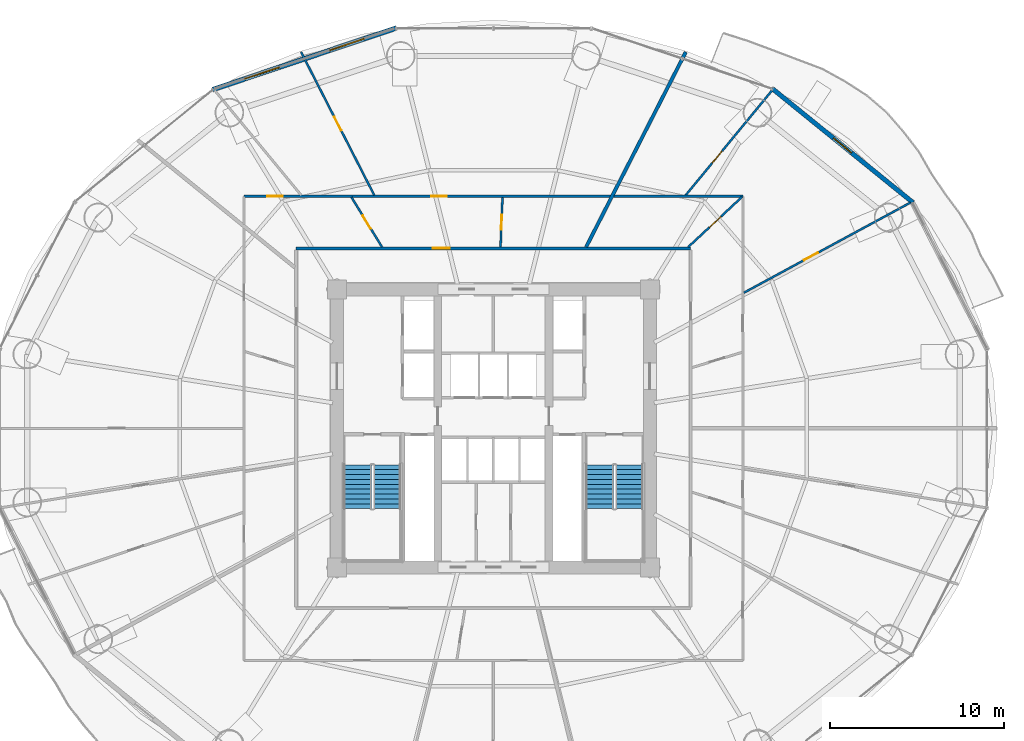
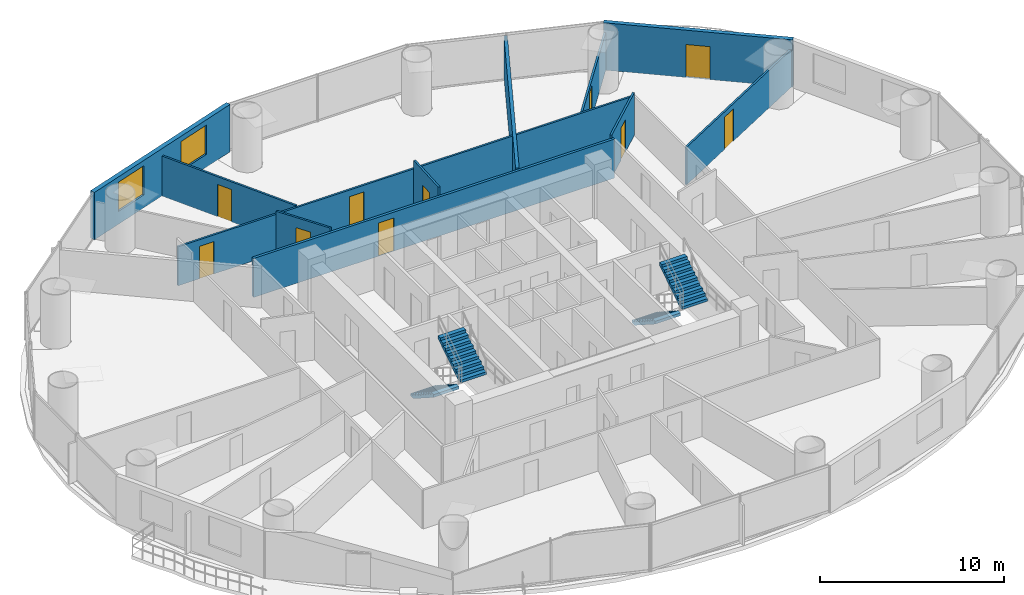
# One storey, part 25 of 29: 12 walls, 10 doors, 4 stair flights, 2 windows, 12 openings, 2 elements without a shape of their own.
"""IFC4 building model written with IfcOpenShell, lengths in metres."""

from ifc_helpers import new_model, si_unit, direction, frame, frame_2d, origin, place, context, subcontext, project, spatial, polyline, rectangle, outline, extrude, source, transform, mapped, material, layer, layer_set, type_object, element, fill, aggregate, save


model = new_model("IFC4")

# Units and contexts
model_context = context("Model", 3, precision=1e-05, world=origin(), true_north=direction((-0.2419218956, 0.970295726276)))
body_context = subcontext(model_context, "Body", "Model", "MODEL_VIEW")
ifc_project = project(units=[si_unit("LENGTHUNIT", "METRE"), si_unit("AREAUNIT", "SQUARE_METRE"), si_unit("VOLUMEUNIT", "CUBIC_METRE"), si_unit("PLANEANGLEUNIT", "RADIAN"), si_unit("MASSUNIT", "GRAM", prefix="KILO")], contexts=[model_context])

# Site, building, storey
site_placement = place(None, origin())
site = spatial("IfcSite", under=ifc_project, at=site_placement, CompositionType="ELEMENT")
building_placement = place(site_placement, origin())
building = spatial("IfcBuilding", under=site, at=building_placement, Name="Cobrevalo Terracotta Tower", CompositionType="ELEMENT")
storey_placement = place(building_placement, frame((0.0, 0.0, 70.800048828125)))
storey = spatial("IfcBuildingStorey", under=building, at=storey_placement, Name="L18", CompositionType="ELEMENT", Elevation=70.800048828125)

# Wall, opening, door
ifc_material_1 = material(Name="Gypsum board on steel stud", Category="steel")
ifc_layer_1 = layer(ifc_material_1, 0.159912109375)
ifc_layer_set_1 = layer_set([ifc_layer_1], Name="Gypsum board on steel stud")
wall_type_1 = type_object("IfcWallType", Name="Fire-rated corridor acoustic partition wall 160 mm", PredefinedType="PARTITIONING", material=ifc_layer_set_1)
wall_1_placement = place(storey_placement, frame((26.64501953125, 37.155029296875, 0.0), z_axis=(0.0, 0.0, 1.0), x_axis=(1.0, 0.0, 0.0)))
wall_1 = element("IfcWall", 1, at=wall_1_placement, inside=storey, type_object=wall_type_1, Name="L18 interior partition IW-L18-COR-N", PredefinedType="PARTITIONING", context=body_context, shape_type="SweptSolid", body=[
    extrude(rectangle(XDim=22.7099609375, YDim=0.159912109375, at=frame_2d((11.35498046875, 0.0))), origin(), (0.0, 0.0, 1.0), 2.595947265625),
])
opening_1_placement = place(wall_1_placement, frame((7.859375, 0.0, 0.0)))
opening_1 = element("IfcOpeningElement", 2, at=opening_1_placement, cuts=wall_1, Name="Opening ID-05", PredefinedType="OPENING", context=body_context, shape_type="SweptSolid", body=[
    extrude(rectangle(XDim=0.97998046875, YDim=2.199951171875, at=frame_2d((0.489990234375, 1.10009765625))), frame((0.0, 0.08984375, 0.0), z_axis=(0.0, -1.0, 0.0), x_axis=(1.0, 0.0, 0.0)), (0.0, 0.0, 1.0), 0.179931640625),
])
ifc_material_2 = material(Name="Solid hardwood timber", Category="wood")
door_type_1 = type_object("IfcDoorType", Name="Residence entrance fire-rated acoustic timber door 980x2200 EI 60", OperationType="NOTDEFINED", PredefinedType="DOOR", material=ifc_material_2)
shared_shape_1 = source(origin(), body_context, "Body", "SweptSolid", [
    extrude(rectangle(XDim=0.97998046875, YDim=2.199951171875, at=frame_2d((0.489990234375, 1.10009765625))), frame((0.0, 0.02490234375, 0.0), z_axis=(0.0, -1.0, 0.0), x_axis=(1.0, 0.0, 0.0)), (0.0, 0.0, 1.0), 0.050048828125),
])
door_1_placement = place(opening_1_placement, origin())
door_1 = element("IfcDoor", 3, at=door_1_placement, inside=storey, type_object=door_type_1, Name="Flat L18B fire-rated apartment entrance door", OperationType="SINGLE_SWING_LEFT", OverallHeight=2.199951171875, OverallWidth=0.97998046875, PredefinedType="DOOR", context=body_context, shape_type="MappedRepresentation", body=[
    mapped(shared_shape_1, transform((0.0, 0.0, 0.0), scale=1.0)),
])
fill(opening_1, door_1)

# Wall
ifc_material_3 = material(Name="Autoclaved aerated concrete block", Category="concrete")
ifc_layer_2 = layer(ifc_material_3, 0.199951171875)
ifc_layer_set_2 = layer_set([ifc_layer_2], Name="Autoclaved aerated concrete block")
wall_type_2 = type_object("IfcWallType", Name="Fire-rated stair, shaft & demising masonry wall 200 mm", PredefinedType="PARTITIONING", material=ifc_layer_set_2)
wall_2_placement = place(storey_placement, frame((43.334716796875, 37.23681640625, 0.0), z_axis=(0.0, 0.0, 1.0), x_axis=(0.455148959499, 0.890415310216, 0.0)))
element("IfcWall", 4, at=wall_2_placement, inside=storey, type_object=wall_type_2, Name="L18 interior partition IW-L18-DEM-2", PredefinedType="PARTITIONING", context=body_context, shape_type="SweptSolid", body=[
    extrude(rectangle(XDim=12.598388671875, YDim=0.199951171875, at=frame_2d((6.29931640625, 0.0))), origin(), (0.0, 0.0, 1.0), 2.666015625),
])

# Wall, openings, windows
ifc_layer_3 = layer(ifc_material_3, 0.280029296875)
ifc_layer_set_3 = layer_set([ifc_layer_3], Name="Autoclaved aerated concrete block")
wall_type_3 = type_object("IfcWallType", Name="Insulated tower spandrel & pier wall 280 mm with terracotta rainscreen", PredefinedType="SOLIDWALL", material=ifc_layer_set_3)
wall_3_placement = place(storey_placement, frame((32.424072265625, 49.844482421875, 0.0), z_axis=(0.0, 0.0, 1.0), x_axis=(-0.948041258496, -0.318147406385, 0.0)))
wall_3 = element("IfcWall", 5, at=wall_3_placement, inside=storey, type_object=wall_type_3, Name="L18 terracotta rainscreen pier wall S05", PredefinedType="SOLIDWALL", context=body_context, shape_type="SweptSolid", body=[
    extrude(rectangle(XDim=11.17529296875, YDim=0.280029296875, at=frame_2d((5.587646484375, 0.0))), origin(), (0.0, 0.0, 1.0), 3.14990234375),
])
opening_2_placement = place(wall_3_placement, frame((1.96728515625, 0.0, 0.85009765625)))
opening_2 = element("IfcOpeningElement", 6, at=opening_2_placement, cuts=wall_3, Name="Opening WN-10", PredefinedType="OPENING", context=body_context, shape_type="SweptSolid", body=[
    extrude(rectangle(XDim=2.10009765625, YDim=1.949951171875, at=frame_2d((1.050048828125, 0.97509765625))), frame((0.0, 0.14990234375, 0.0), z_axis=(0.0, -1.0, 0.0), x_axis=(1.0, 0.0, 0.0)), (0.0, 0.0, 1.0), 0.300048828125),
])
opening_3_placement = place(wall_3_placement, frame((7.108154296875, 0.0, 0.85009765625)))
opening_3 = element("IfcOpeningElement", 7, at=opening_3_placement, cuts=wall_3, Name="Opening WN-10", PredefinedType="OPENING", context=body_context, shape_type="SweptSolid", body=[
    extrude(rectangle(XDim=2.10009765625, YDim=1.949951171875, at=frame_2d((1.050048828125, 0.97509765625))), frame((0.0, 0.14990234375, 0.0), z_axis=(0.0, -1.0, 0.0), x_axis=(1.0, 0.0, 0.0)), (0.0, 0.0, 1.0), 0.300048828125),
])
ifc_material_4 = material(Name="Solar-control low-E double glazing", Category="glass")
window_type = type_object("IfcWindowType", Name="Wide panoramic low-E aluminium window 2100x1950", PartitioningType="SINGLE_PANEL", PredefinedType="WINDOW", material=ifc_material_4)
shared_shape_2 = source(origin(), body_context, "Body", "SweptSolid", [
    extrude(rectangle(XDim=2.10009765625, YDim=1.949951171875, at=frame_2d((1.050048828125, 0.97509765625))), frame((0.0, 0.030029296875, 0.0), z_axis=(0.0, -1.0, 0.0), x_axis=(1.0, 0.0, 0.0)), (0.0, 0.0, 1.0), 0.06005859375),
])
window_1_placement = place(opening_2_placement, origin())
window_1 = element("IfcWindow", 8, at=window_1_placement, inside=storey, type_object=window_type, Name="L18 suite window S05A", OverallHeight=1.949951171875, OverallWidth=2.10009765625, PartitioningType="SINGLE_PANEL", PredefinedType="WINDOW", context=body_context, shape_type="MappedRepresentation", body=[
    mapped(shared_shape_2, transform((0.0, 0.0, 0.0), scale=1.0)),
])
fill(opening_2, window_1)
window_2_placement = place(opening_3_placement, origin())
window_2 = element("IfcWindow", 9, at=window_2_placement, inside=storey, type_object=window_type, Name="L18 suite window S05B", OverallHeight=1.949951171875, OverallWidth=2.10009765625, PartitioningType="SINGLE_PANEL", PredefinedType="WINDOW", context=body_context, shape_type="MappedRepresentation", body=[
    mapped(shared_shape_2, transform((0.0, 0.0, 0.0), scale=1.0)),
])
fill(opening_3, window_2)

# Wall, opening, door
ifc_layer_4 = layer(ifc_material_3, 0.260009765625)
ifc_layer_set_4 = layer_set([ifc_layer_4], Name="Autoclaved aerated concrete block")
wall_type_4 = type_object("IfcWallType", Name="Recessed balcony loggia insulated exterior wall 260 mm", PredefinedType="SOLIDWALL", material=ifc_layer_set_4)
wall_4_placement = place(storey_placement, frame((62.14990234375, 39.788818359375, 0.0), z_axis=(0.0, 0.0, 1.0), x_axis=(-0.777005352078, 0.62949398952, 0.0)))
wall_4 = element("IfcWall", 10, at=wall_4_placement, inside=storey, type_object=wall_type_4, Name="L18 balcony loggia wall S02", PredefinedType="SOLIDWALL", context=body_context, shape_type="SweptSolid", body=[
    extrude(rectangle(XDim=10.44677734375, YDim=0.260009765625, at=frame_2d((5.223388671875, 0.0))), origin(), (0.0, 0.0, 1.0), 3.14990234375),
])
opening_4_placement = place(wall_4_placement, frame((4.54833984375, 0.0, 0.0)))
opening_4 = element("IfcOpeningElement", 11, at=opening_4_placement, cuts=wall_4, Name="Opening ED-05", PredefinedType="OPENING", context=body_context, shape_type="SweptSolid", body=[
    extrude(rectangle(XDim=1.35009765625, YDim=2.199951171875, at=frame_2d((0.675048828125, 1.10009765625))), frame((0.0, 0.14013671875, 0.0), z_axis=(0.0, -1.0, 0.0), x_axis=(1.0, 0.0, 0.0)), (0.0, 0.0, 1.0), 0.280029296875),
])
ifc_material_5 = material(Name="Anodized aluminium and laminated glass", Category="aluminium")
door_type_2 = type_object("IfcDoorType", Name="Suite balcony acoustic glazed terrace door 1350x2200", OperationType="NOTDEFINED", PredefinedType="DOOR", material=ifc_material_5)
shared_shape_3 = source(origin(), body_context, "Body", "SweptSolid", [
    extrude(rectangle(XDim=1.35009765625, YDim=2.199951171875, at=frame_2d((0.675048828125, 1.10009765625))), frame((0.0, 0.02490234375, 0.0), z_axis=(0.0, -1.0, 0.0), x_axis=(1.0, 0.0, 0.0)), (0.0, 0.0, 1.0), 0.050048828125),
])
door_2_placement = place(opening_4_placement, frame((1.35009765625, 0.0, 0.0), z_axis=(0.0, 0.0, 1.0), x_axis=(-1.0, 0.0, 0.0)))
door_2 = element("IfcDoor", 12, at=door_2_placement, inside=storey, type_object=door_type_2, Name="L18 glazed balcony terrace door 1", OperationType="SINGLE_SWING_LEFT", OverallHeight=2.199951171875, OverallWidth=1.35009765625, PredefinedType="DOOR", context=body_context, shape_type="MappedRepresentation", body=[
    mapped(shared_shape_3, transform((0.0, 0.0, 0.0), scale=1.0)),
])
fill(opening_4, door_2)

# Wall
ifc_layer_5 = layer(ifc_material_1, 0.1201171875)
ifc_layer_set_5 = layer_set([ifc_layer_5], Name="Gypsum board on steel stud")
wall_type_5 = type_object("IfcWallType", Name="Residential internal acoustic stud partition 120 mm", PredefinedType="PARTITIONING", material=ifc_layer_set_5)
wall_5_placement = place(storey_placement, frame((44.928466796875, 40.155029296875, 0.0), z_axis=(0.0, 0.0, 1.0), x_axis=(1.0, 0.0, 0.0)))
element("IfcWall", 13, at=wall_5_placement, inside=storey, type_object=wall_type_5, Name="L18 interior partition IW-L18-U1-RING0_0", PredefinedType="PARTITIONING", context=body_context, shape_type="SweptSolid", body=[
    extrude(rectangle(XDim=7.426513671875, YDim=0.1201171875, at=frame_2d((3.71337890625, 0.0))), origin(), (0.0, 0.0, 1.0), 2.595947265625),
])

# Wall, opening, door
wall_6_placement = place(storey_placement, frame((52.409423828125, 34.60205078125, 0.0), z_axis=(0.0, 0.0, 1.0), x_axis=(0.879373936002, 0.476131789193, 0.0)))
wall_6 = element("IfcWall", 14, at=wall_6_placement, inside=storey, type_object=wall_type_5, Name="L18 interior partition IW-L18-U1-ORAD1", PredefinedType="PARTITIONING", context=body_context, shape_type="SweptSolid", body=[
    extrude(rectangle(XDim=10.91259765625, YDim=0.1201171875, at=frame_2d((5.456298828125, 0.0))), origin(), (0.0, 0.0, 1.0), 2.5),
])
opening_5_placement = place(wall_6_placement, frame((3.9482421875, 0.0, 0.0)))
opening_5 = element("IfcOpeningElement", 15, at=opening_5_placement, cuts=wall_6, Name="Opening ID-12", PredefinedType="OPENING", context=body_context, shape_type="SweptSolid", body=[
    extrude(rectangle(XDim=0.89990234375, YDim=2.14990234375, at=frame_2d((0.449951171875, 1.074951171875))), frame((0.0, 0.070068359375, 0.0), z_axis=(0.0, -1.0, 0.0), x_axis=(1.0, 0.0, 0.0)), (0.0, 0.0, 1.0), 0.14013671875),
])
ifc_material_6 = material(Name="Engineered timber", Category="wood")
door_type_3 = type_object("IfcDoorType", Name="Internal residence & suite timber door 900x2150", OperationType="NOTDEFINED", PredefinedType="DOOR", material=ifc_material_6)
shared_shape_4 = source(origin(), body_context, "Body", "SweptSolid", [
    extrude(rectangle(XDim=0.89990234375, YDim=2.14990234375, at=frame_2d((0.449951171875, 1.074951171875))), frame((0.0, 0.02490234375, 0.0), z_axis=(0.0, -1.0, 0.0), x_axis=(1.0, 0.0, 0.0)), (0.0, 0.0, 1.0), 0.050048828125),
])
door_3_placement = place(opening_5_placement, origin())
door_3 = element("IfcDoor", 16, at=door_3_placement, inside=storey, type_object=door_type_3, Name="Flat L18A Penthouse Family Lounge internal door", OperationType="SINGLE_SWING_LEFT", OverallHeight=2.14990234375, OverallWidth=0.89990234375, PredefinedType="DOOR", context=body_context, shape_type="MappedRepresentation", body=[
    mapped(shared_shape_4, transform((0.0, 0.0, 0.0), scale=1.0)),
])
fill(opening_5, door_3)

wall_7_placement = place(storey_placement, frame((49.051513671875, 40.202880859375, 0.0), z_axis=(0.0, 0.0, 1.0), x_axis=(0.636191994442, 0.771530781115, 0.0)))
wall_7 = element("IfcWall", 17, at=wall_7_placement, inside=storey, type_object=wall_type_5, Name="L18 interior partition IW-L18-U1-ORAD2M1", PredefinedType="PARTITIONING", context=body_context, shape_type="SweptSolid", body=[
    extrude(rectangle(XDim=7.836181640625, YDim=0.1201171875, at=frame_2d((3.91796875, 0.0))), origin(), (0.0, 0.0, 1.0), 2.5),
])
opening_6_placement = place(wall_7_placement, frame((2.4091796875, 0.0, 0.0)))
opening_6 = element("IfcOpeningElement", 18, at=opening_6_placement, cuts=wall_7, Name="Opening ID-12", PredefinedType="OPENING", context=body_context, shape_type="SweptSolid", body=[
    extrude(rectangle(XDim=0.89990234375, YDim=2.14990234375, at=frame_2d((0.449951171875, 1.074951171875))), frame((0.0, 0.070068359375, 0.0), z_axis=(0.0, -1.0, 0.0), x_axis=(1.0, 0.0, 0.0)), (0.0, 0.0, 1.0), 0.14013671875),
])
door_4_placement = place(opening_6_placement, origin())
door_4 = element("IfcDoor", 19, at=door_4_placement, inside=storey, type_object=door_type_3, Name="Flat L18A Master Bedroom internal door", OperationType="SINGLE_SWING_RIGHT", OverallHeight=2.14990234375, OverallWidth=0.89990234375, PredefinedType="DOOR", context=body_context, shape_type="MappedRepresentation", body=[
    mapped(shared_shape_4, transform((0.0, 0.0, 0.0), scale=1.0)),
])
fill(opening_6, door_4)

wall_8_placement = place(storey_placement, frame((49.210693359375, 37.236328125, 0.0), z_axis=(0.0, 0.0, 1.0), x_axis=(0.731927788951, 0.681382206813, 0.0)))
wall_8 = element("IfcWall", 20, at=wall_8_placement, inside=storey, type_object=wall_type_5, Name="L18 interior partition IW-L18-U1-IRAD2", PredefinedType="PARTITIONING", context=body_context, shape_type="SweptSolid", body=[
    extrude(rectangle(XDim=4.221435546875, YDim=0.1201171875, at=frame_2d((2.11083984375, 0.0))), origin(), (0.0, 0.0, 1.0), 2.824951171875),
])
opening_7_placement = place(wall_8_placement, frame((1.66064453125, 0.0, 0.0)))
opening_7 = element("IfcOpeningElement", 21, at=opening_7_placement, cuts=wall_8, Name="Opening ID-12", PredefinedType="OPENING", context=body_context, shape_type="SweptSolid", body=[
    extrude(rectangle(XDim=0.89990234375, YDim=2.14990234375, at=frame_2d((0.449951171875, 1.074951171875))), frame((0.0, 0.070068359375, 0.0), z_axis=(0.0, -1.0, 0.0), x_axis=(1.0, 0.0, 0.0)), (0.0, 0.0, 1.0), 0.14013671875),
])
door_5_placement = place(opening_7_placement, origin())
door_5 = element("IfcDoor", 22, at=door_5_placement, inside=storey, type_object=door_type_3, Name="Flat L18A Kitchen internal door", OperationType="SINGLE_SWING_RIGHT", OverallHeight=2.14990234375, OverallWidth=0.89990234375, PredefinedType="DOOR", context=body_context, shape_type="MappedRepresentation", body=[
    mapped(shared_shape_4, transform((0.0, 0.0, 0.0), scale=1.0)),
])
fill(opening_7, door_5)

# Wall, openings, doors
wall_9_placement = place(storey_placement, frame((23.64501953125, 40.155029296875, 0.0), z_axis=(0.0, 0.0, 1.0), x_axis=(1.0, 0.0, 0.0)))
wall_9 = element("IfcWall", 23, at=wall_9_placement, inside=storey, type_object=wall_type_5, Name="L18 interior partition IW-L18-U2-RING1_0", PredefinedType="PARTITIONING", context=body_context, shape_type="SweptSolid", body=[
    extrude(rectangle(XDim=21.07958984375, YDim=0.1201171875, at=frame_2d((10.539794921875, 0.0))), origin(), (0.0, 0.0, 1.0), 2.595947265625),
])
opening_8_placement = place(wall_9_placement, frame((10.779052734375, 0.0, 0.0)))
opening_8 = element("IfcOpeningElement", 24, at=opening_8_placement, cuts=wall_9, Name="Opening ID-12", PredefinedType="OPENING", context=body_context, shape_type="SweptSolid", body=[
    extrude(rectangle(XDim=0.89990234375, YDim=2.14990234375, at=frame_2d((0.449951171875, 1.074951171875))), frame((0.0, 0.070068359375, 0.0), z_axis=(0.0, -1.0, 0.0), x_axis=(1.0, 0.0, 0.0)), (0.0, 0.0, 1.0), 0.14013671875),
])
opening_9_placement = place(wall_9_placement, frame((1.341552734375, 0.0, 0.0)))
opening_9 = element("IfcOpeningElement", 25, at=opening_9_placement, cuts=wall_9, Name="Opening ID-12", PredefinedType="OPENING", context=body_context, shape_type="SweptSolid", body=[
    extrude(rectangle(XDim=0.89990234375, YDim=2.14990234375, at=frame_2d((0.449951171875, 1.074951171875))), frame((0.0, 0.070068359375, 0.0), z_axis=(0.0, -1.0, 0.0), x_axis=(1.0, 0.0, 0.0)), (0.0, 0.0, 1.0), 0.14013671875),
])
door_6_placement = place(opening_8_placement, origin())
door_6 = element("IfcDoor", 26, at=door_6_placement, inside=storey, type_object=door_type_3, Name="Flat L18B Penthouse Living and Dining Room internal door", OperationType="SINGLE_SWING_LEFT", OverallHeight=2.14990234375, OverallWidth=0.89990234375, PredefinedType="DOOR", context=body_context, shape_type="MappedRepresentation", body=[
    mapped(shared_shape_4, transform((0.0, 0.0, 0.0), scale=1.0)),
])
fill(opening_8, door_6)
door_7_placement = place(opening_9_placement, origin())
door_7 = element("IfcDoor", 27, at=door_7_placement, inside=storey, type_object=door_type_3, Name="Flat L18B Penthouse Family Lounge internal door", OperationType="SINGLE_SWING_LEFT", OverallHeight=2.14990234375, OverallWidth=0.89990234375, PredefinedType="DOOR", context=body_context, shape_type="MappedRepresentation", body=[
    mapped(shared_shape_4, transform((0.0, 0.0, 0.0), scale=1.0)),
])
fill(opening_9, door_7)

# Wall, opening, door
wall_10_placement = place(storey_placement, frame((31.145263671875, 40.210205078125, 0.0), z_axis=(0.0, 0.0, 1.0), x_axis=(-0.455138005733, 0.89042090931, 0.0)))
wall_10 = element("IfcWall", 28, at=wall_10_placement, inside=storey, type_object=wall_type_5, Name="L18 interior partition IW-L18-U2-ORAD1", PredefinedType="PARTITIONING", context=body_context, shape_type="SweptSolid", body=[
    extrude(rectangle(XDim=9.259033203125, YDim=0.1201171875, at=frame_2d((4.62939453125, 0.0))), origin(), (0.0, 0.0, 1.0), 2.666015625),
])
opening_10_placement = place(wall_10_placement, frame((4.179443359375, 0.0, 0.0)))
opening_10 = element("IfcOpeningElement", 29, at=opening_10_placement, cuts=wall_10, Name="Opening ID-12", PredefinedType="OPENING", context=body_context, shape_type="SweptSolid", body=[
    extrude(rectangle(XDim=0.89990234375, YDim=2.14990234375, at=frame_2d((0.449951171875, 1.074951171875))), frame((0.0, 0.070068359375, 0.0), z_axis=(0.0, -1.0, 0.0), x_axis=(1.0, 0.0, 0.0)), (0.0, 0.0, 1.0), 0.14013671875),
])
door_8_placement = place(opening_10_placement, origin())
door_8 = element("IfcDoor", 30, at=door_8_placement, inside=storey, type_object=door_type_3, Name="Flat L18B Master Bedroom internal door", OperationType="SINGLE_SWING_RIGHT", OverallHeight=2.14990234375, OverallWidth=0.89990234375, PredefinedType="DOOR", context=body_context, shape_type="MappedRepresentation", body=[
    mapped(shared_shape_4, transform((0.0, 0.0, 0.0), scale=1.0)),
])
fill(opening_10, door_8)

wall_11_placement = place(storey_placement, frame((38.40966796875, 37.237060546875, 0.0), z_axis=(0.0, 0.0, 1.0), x_axis=(0.039292593948, 0.999227747844, 0.0)))
wall_11 = element("IfcWall", 31, at=wall_11_placement, inside=storey, type_object=wall_type_5, Name="L18 interior partition IW-L18-U2-IRAD1", PredefinedType="PARTITIONING", context=body_context, shape_type="SweptSolid", body=[
    extrude(rectangle(XDim=2.858154296875, YDim=0.1201171875, at=frame_2d((1.42919921875, 0.0))), origin(), (0.0, 0.0, 1.0), 3.14990234375),
])
opening_11_placement = place(wall_11_placement, frame((0.9990234375, 0.0, 0.0)))
opening_11 = element("IfcOpeningElement", 32, at=opening_11_placement, cuts=wall_11, Name="Opening ID-19", PredefinedType="OPENING", context=body_context, shape_type="SweptSolid", body=[
    extrude(rectangle(XDim=0.860107421875, YDim=2.14990234375, at=frame_2d((0.43017578125, 1.074951171875))), frame((0.0, 0.070068359375, 0.0), z_axis=(0.0, -1.0, 0.0), x_axis=(1.0, 0.0, 0.0)), (0.0, 0.0, 1.0), 0.14013671875),
])
ifc_material_7 = material(Name="Moisture-sealed timber", Category="wood")
door_type_4 = type_object("IfcDoorType", Name="Suite bathroom internal timber door 860x2150", OperationType="NOTDEFINED", PredefinedType="DOOR", material=ifc_material_7)
shared_shape_5 = source(origin(), body_context, "Body", "SweptSolid", [
    extrude(rectangle(XDim=0.860107421875, YDim=2.14990234375, at=frame_2d((0.43017578125, 1.074951171875))), frame((0.0, 0.02490234375, 0.0), z_axis=(0.0, -1.0, 0.0), x_axis=(1.0, 0.0, 0.0)), (0.0, 0.0, 1.0), 0.050048828125),
])
door_9_placement = place(opening_11_placement, frame((0.860107421875, 0.0, 0.0), z_axis=(0.0, 0.0, 1.0), x_axis=(-1.0, 0.0, 0.0)))
door_9 = element("IfcDoor", 33, at=door_9_placement, inside=storey, type_object=door_type_4, Name="Flat L18B Primary Bathroom internal door", OperationType="SINGLE_SWING_RIGHT", OverallHeight=2.14990234375, OverallWidth=0.860107421875, PredefinedType="DOOR", context=body_context, shape_type="MappedRepresentation", body=[
    mapped(shared_shape_5, transform((0.0, 0.0, 0.0), scale=1.0)),
])
fill(opening_11, door_9)

wall_12_placement = place(storey_placement, frame((31.58935546875, 37.23681640625, 0.0), z_axis=(0.0, 0.0, 1.0), x_axis=(-0.523404550994, 0.852084312729, 0.0)))
wall_12 = element("IfcWall", 34, at=wall_12_placement, inside=storey, type_object=wall_type_5, Name="L18 interior partition IW-L18-U2-IRAD2", PredefinedType="PARTITIONING", context=body_context, shape_type="SweptSolid", body=[
    extrude(rectangle(XDim=3.362548828125, YDim=0.1201171875, at=frame_2d((1.68115234375, 0.0))), origin(), (0.0, 0.0, 1.0), 2.824951171875),
])
opening_12_placement = place(wall_12_placement, frame((1.2314453125, 0.0, 0.0)))
opening_12 = element("IfcOpeningElement", 35, at=opening_12_placement, cuts=wall_12, Name="Opening ID-12", PredefinedType="OPENING", context=body_context, shape_type="SweptSolid", body=[
    extrude(rectangle(XDim=0.89990234375, YDim=2.14990234375, at=frame_2d((0.449951171875, 1.074951171875))), frame((0.0, 0.070068359375, 0.0), z_axis=(0.0, -1.0, 0.0), x_axis=(1.0, 0.0, 0.0)), (0.0, 0.0, 1.0), 0.14013671875),
])
door_10_placement = place(opening_12_placement, origin())
door_10 = element("IfcDoor", 36, at=door_10_placement, inside=storey, type_object=door_type_3, Name="Flat L18B Kitchen internal door", OperationType="SINGLE_SWING_RIGHT", OverallHeight=2.14990234375, OverallWidth=0.89990234375, PredefinedType="DOOR", context=body_context, shape_type="MappedRepresentation", body=[
    mapped(shared_shape_4, transform((0.0, 0.0, 0.0), scale=1.0)),
])
fill(opening_12, door_10)

# Stair, stair flights
ifc_material_8 = material(Name="Concrete C50", Category="concrete")
stair_type = type_object("IfcStairType", Name="Core protected escape dogleg stair 1600", PredefinedType="HALF_TURN_STAIR", material=ifc_material_8)
stair_1_placement = place(storey_placement, origin())
stair_1 = element("IfcStair", 37, at=stair_1_placement, inside=storey, type_object=stair_type, Name="L18 Protected exit stair ST-1", PredefinedType="HALF_TURN_STAIR")
stair_flight_type = type_object("IfcStairFlightType", Name="Core protected escape dogleg stair 1600 flight", PredefinedType="STRAIGHT", material=ifc_material_8)
stair_flight_1_placement = place(storey_placement, frame((30.175048828125, 24.699951171875, 0.0), z_axis=(0.0, 0.0, 1.0), x_axis=(0.0, -1.0, 0.0)))
stair_flight_1 = element("IfcStairFlight", 38, at=stair_flight_1_placement, type_object=stair_flight_type, Name="ST-1 flight 1", NumberOfRisers=10, NumberOfTreads=9, PredefinedType="STRAIGHT", RiserHeight=0.18, TreadLength=0.28, context=body_context, shape_type="SweptSolid", body=[
    extrude(outline(polyline([(0.0, 0.0), (0.0, 0.179931640625), (0.280029296875, 0.179931640625), (0.280029296875, 0.360107421875), (0.56005859375, 0.360107421875), (0.56005859375, 0.5400390625), (0.840087890625, 0.5400390625), (0.840087890625, 0.719970703125), (1.1201171875, 0.719970703125), (1.1201171875, 0.89990234375), (1.39990234375, 0.89990234375), (1.39990234375, 1.080078125), (1.679931640625, 1.080078125), (1.679931640625, 1.260009765625), (1.9599609375, 1.260009765625), (1.9599609375, 1.43994140625), (2.239990234375, 1.43994140625), (2.239990234375, 1.6201171875), (2.52001953125, 1.6201171875), (2.52001953125, 1.800048828125), (2.52001953125, 1.429931640625), (0.295654296875, 0.0), (0.0, 0.0)])), frame((0.0, 0.800048828125, 0.0), z_axis=(0.0, -1.0, 0.0), x_axis=(1.0, 0.0, 0.0)), (0.0, 0.0, 1.0), 1.60009765625),
])
stair_flight_2_placement = place(storey_placement, frame((31.89501953125, 22.179931640625, 1.800048828125), z_axis=(0.0, 0.0, 1.0), x_axis=(0.0, 1.0, 0.0)))
stair_flight_2 = element("IfcStairFlight", 39, at=stair_flight_2_placement, type_object=stair_flight_type, Name="ST-1 flight 2", NumberOfRisers=10, NumberOfTreads=9, PredefinedType="STRAIGHT", RiserHeight=0.18, TreadLength=0.28, context=body_context, shape_type="SweptSolid", body=[
    extrude(outline(polyline([(0.0, 0.0), (0.0, 0.179931640625), (0.280029296875, 0.179931640625), (0.280029296875, 0.360107421875), (0.56005859375, 0.360107421875), (0.56005859375, 0.5400390625), (0.840087890625, 0.5400390625), (0.840087890625, 0.719970703125), (1.1201171875, 0.719970703125), (1.1201171875, 0.89990234375), (1.39990234375, 0.89990234375), (1.39990234375, 1.080078125), (1.679931640625, 1.080078125), (1.679931640625, 1.260009765625), (1.9599609375, 1.260009765625), (1.9599609375, 1.43994140625), (2.239990234375, 1.43994140625), (2.239990234375, 1.6201171875), (2.52001953125, 1.6201171875), (2.52001953125, 1.800048828125), (2.52001953125, 1.429931640625), (0.295654296875, 0.0), (0.0, 0.0)])), frame((0.0, 0.800048828125, 0.0), z_axis=(0.0, -1.0, 0.0), x_axis=(1.0, 0.0, 0.0)), (0.0, 0.0, 1.0), 1.60009765625),
])
aggregate(stair_1, [stair_flight_1, stair_flight_2])

stair_2_placement = place(storey_placement, origin())
stair_2 = element("IfcStair", 40, at=stair_2_placement, inside=storey, type_object=stair_type, Name="L18 Protected exit stair ST-2", PredefinedType="HALF_TURN_STAIR")
stair_flight_3_placement = place(storey_placement, frame((44.10498046875, 24.699951171875, 0.0), z_axis=(0.0, 0.0, 1.0), x_axis=(0.0, -1.0, 0.0)))
stair_flight_3 = element("IfcStairFlight", 41, at=stair_flight_3_placement, type_object=stair_flight_type, Name="ST-2 flight 1", NumberOfRisers=10, NumberOfTreads=9, PredefinedType="STRAIGHT", RiserHeight=0.18, TreadLength=0.28, context=body_context, shape_type="SweptSolid", body=[
    extrude(outline(polyline([(0.0, 0.0), (0.0, 0.179931640625), (0.280029296875, 0.179931640625), (0.280029296875, 0.360107421875), (0.56005859375, 0.360107421875), (0.56005859375, 0.5400390625), (0.840087890625, 0.5400390625), (0.840087890625, 0.719970703125), (1.1201171875, 0.719970703125), (1.1201171875, 0.89990234375), (1.39990234375, 0.89990234375), (1.39990234375, 1.080078125), (1.679931640625, 1.080078125), (1.679931640625, 1.260009765625), (1.9599609375, 1.260009765625), (1.9599609375, 1.43994140625), (2.239990234375, 1.43994140625), (2.239990234375, 1.6201171875), (2.52001953125, 1.6201171875), (2.52001953125, 1.800048828125), (2.52001953125, 1.429931640625), (0.295654296875, 0.0), (0.0, 0.0)])), frame((0.0, 0.800048828125, 0.0), z_axis=(0.0, -1.0, 0.0), x_axis=(1.0, 0.0, 0.0)), (0.0, 0.0, 1.0), 1.60009765625),
])
stair_flight_4_placement = place(storey_placement, frame((45.824951171875, 22.179931640625, 1.800048828125), z_axis=(0.0, 0.0, 1.0), x_axis=(0.0, 1.0, 0.0)))
stair_flight_4 = element("IfcStairFlight", 42, at=stair_flight_4_placement, type_object=stair_flight_type, Name="ST-2 flight 2", NumberOfRisers=10, NumberOfTreads=9, PredefinedType="STRAIGHT", RiserHeight=0.18, TreadLength=0.28, context=body_context, shape_type="SweptSolid", body=[
    extrude(outline(polyline([(0.0, 0.0), (0.0, 0.179931640625), (0.280029296875, 0.179931640625), (0.280029296875, 0.360107421875), (0.56005859375, 0.360107421875), (0.56005859375, 0.5400390625), (0.840087890625, 0.5400390625), (0.840087890625, 0.719970703125), (1.1201171875, 0.719970703125), (1.1201171875, 0.89990234375), (1.39990234375, 0.89990234375), (1.39990234375, 1.080078125), (1.679931640625, 1.080078125), (1.679931640625, 1.260009765625), (1.9599609375, 1.260009765625), (1.9599609375, 1.43994140625), (2.239990234375, 1.43994140625), (2.239990234375, 1.6201171875), (2.52001953125, 1.6201171875), (2.52001953125, 1.800048828125), (2.52001953125, 1.429931640625), (0.295654296875, 0.0), (0.0, 0.0)])), frame((0.0, 0.800048828125, 0.0), z_axis=(0.0, -1.0, 0.0), x_axis=(1.0, 0.0, 0.0)), (0.0, 0.0, 1.0), 1.60009765625),
])
aggregate(stair_2, [stair_flight_3, stair_flight_4])

save(model, "model.ifc")
